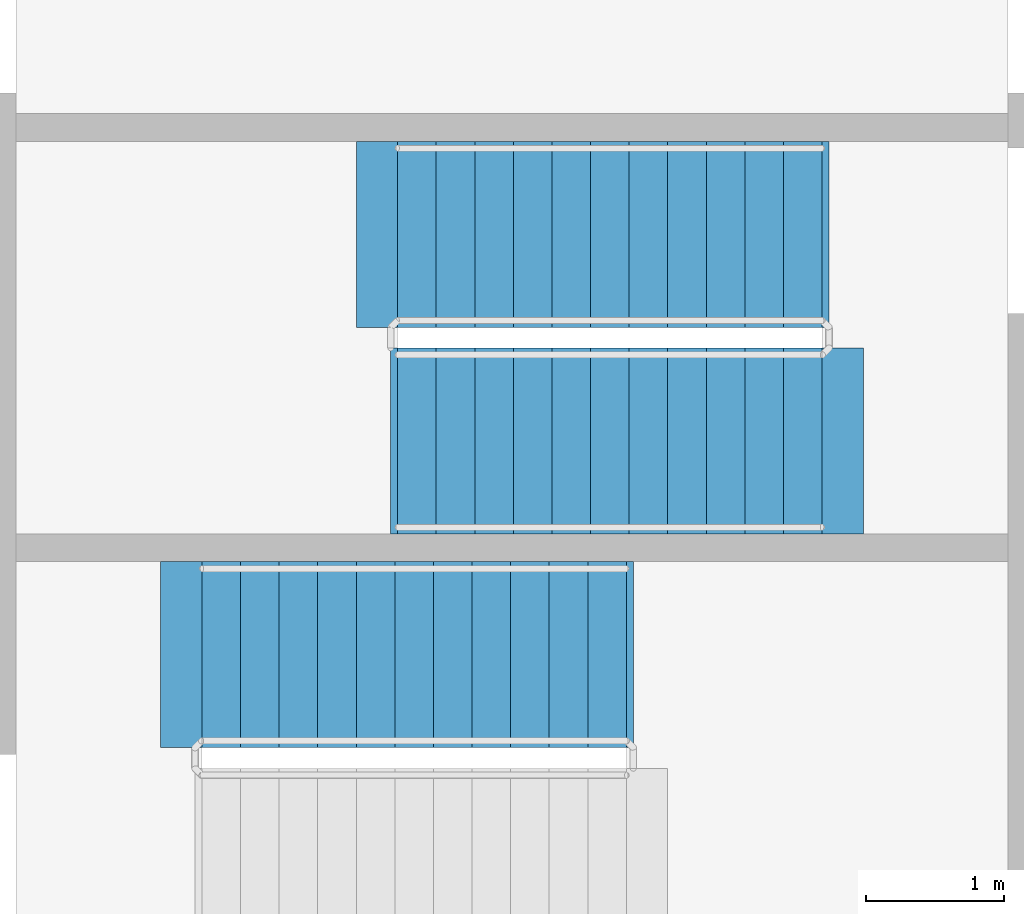
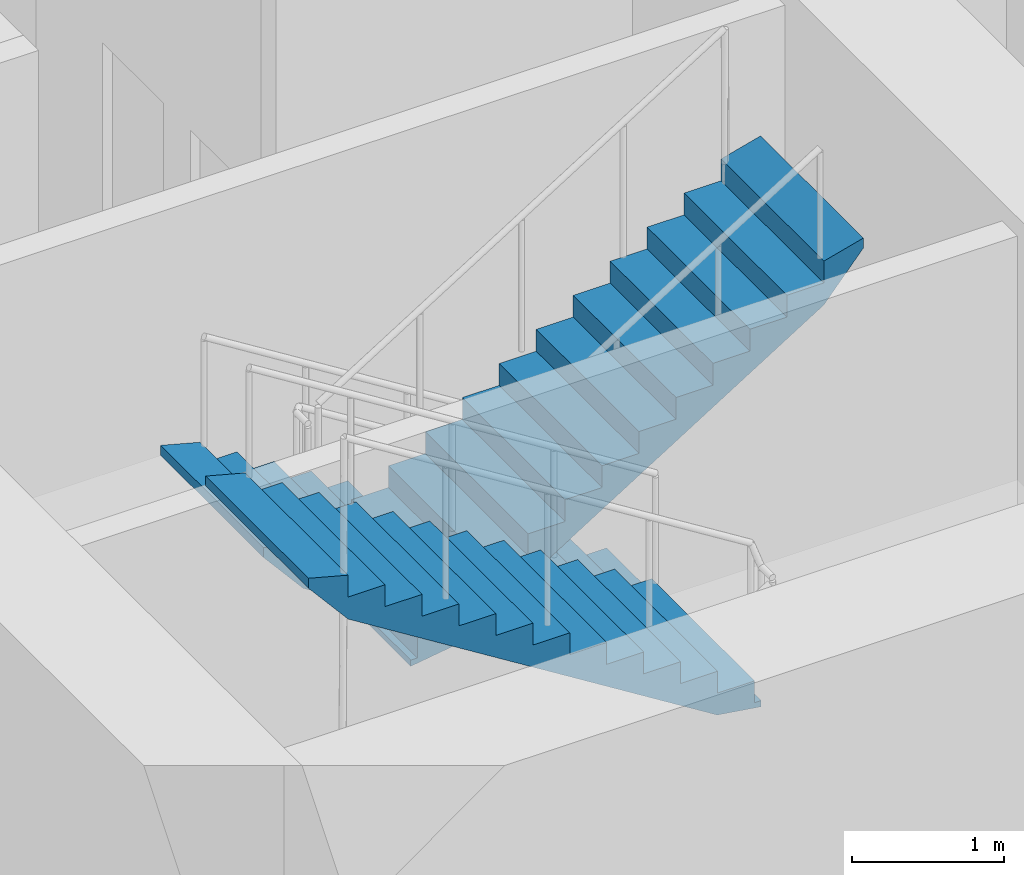
# One storey, part 19 of 23: 3 stair flights, 2 elements without a shape of their own.
"""IFC4 building model written with IfcOpenShell, lengths in metres."""

from ifc_helpers import new_model, si_unit, direction, frame, origin, place, context, subcontext, project, spatial, polyline, outline, extrude, material, type_object, element, aggregate, save


model = new_model("IFC4")

# Units and contexts
model_context = context("Model", 3, precision=1e-05, world=origin(), true_north=direction((0.0, 1.0)))
body_context = subcontext(model_context, "Body", "Model", "MODEL_VIEW")
ifc_project = project(units=[si_unit("LENGTHUNIT", "METRE"), si_unit("AREAUNIT", "SQUARE_METRE"), si_unit("VOLUMEUNIT", "CUBIC_METRE"), si_unit("PLANEANGLEUNIT", "RADIAN"), si_unit("MASSUNIT", "GRAM", prefix="KILO")], contexts=[model_context])

# Site, building, storey
site_placement = place(None, origin())
site = spatial("IfcSite", under=ifc_project, at=site_placement, CompositionType="ELEMENT")
building_placement = place(site_placement, origin())
building = spatial("IfcBuilding", under=site, at=building_placement, Name="Zarbagh Exchange Tower", CompositionType="ELEMENT")
storey_placement = place(building_placement, frame((0.0, 0.0, 69.0)))
storey = spatial("IfcBuildingStorey", under=building, at=storey_placement, Name="L15", CompositionType="ELEMENT", Elevation=69.0)

# Stair, stair flights
ifc_material = material(Name="Concrete C40/50", Category="concrete")
stair_type = type_object("IfcStairType", Name="Exit stair two-flight half-turn", PredefinedType="HALF_TURN_STAIR", material=ifc_material)
stair_1_placement = place(storey_placement, origin())
stair_1 = element("IfcStair", 1, at=stair_1_placement, inside=storey, type_object=stair_type, Name="exit stair ST1", PredefinedType="HALF_TURN_STAIR")
stair_flight_type = type_object("IfcStairFlightType", Name="Stair flight 1350 mm", PredefinedType="STRAIGHT", material=ifc_material)
stair_flight_1_placement = place(storey_placement, frame((2.25, 17.375, 0.0), z_axis=(0.0, 0.0, 1.0), x_axis=(-1.0, 0.0, 0.0)))
stair_flight_1 = element("IfcStairFlight", 2, at=stair_flight_1_placement, type_object=stair_flight_type, Name="ST1 flight 1", NumberOfRisers=12, NumberOfTreads=11, PredefinedType="STRAIGHT", RiserHeight=0.175, TreadLength=0.28, context=body_context, shape_type="SweptSolid", body=[
    extrude(outline(polyline([(-0.050048828125, -0.050048828125), (-0.050048828125, 0.0), (0.0, 0.0), (0.0, 0.175048828125), (0.280029296875, 0.175048828125), (0.280029296875, 0.35009765625), (0.56005859375, 0.35009765625), (0.56005859375, 0.52490234375), (0.840087890625, 0.52490234375), (0.840087890625, 0.699951171875), (1.1201171875, 0.699951171875), (1.1201171875, 0.875), (1.39990234375, 0.875), (1.39990234375, 1.050048828125), (1.679931640625, 1.050048828125), (1.679931640625, 1.22509765625), (1.9599609375, 1.22509765625), (1.9599609375, 1.39990234375), (2.239990234375, 1.39990234375), (2.239990234375, 1.574951171875), (2.52001953125, 1.574951171875), (2.52001953125, 1.75), (2.800048828125, 1.75), (2.800048828125, 1.925048828125), (3.080078125, 1.925048828125), (3.080078125, 2.10009765625), (3.3798828125, 2.179931640625), (3.3798828125, 2.10009765625), (3.080078125, 1.748291015625), (0.28271484375, 0.0), (-0.050048828125, -0.050048828125)])), frame((0.0, 0.675048828125, 0.0), z_axis=(0.0, -1.0, 0.0), x_axis=(1.0, 0.0, 0.0)), (0.0, 0.0, 1.0), 1.35009765625),
])
stair_flight_2_placement = place(storey_placement, frame((-0.830078125, 15.875, 2.10009765625), z_axis=(0.0, 0.0, 1.0), x_axis=(1.0, 0.0, 0.0)))
stair_flight_2 = element("IfcStairFlight", 3, at=stair_flight_2_placement, type_object=stair_flight_type, Name="ST1 flight 2", NumberOfRisers=12, NumberOfTreads=11, PredefinedType="STRAIGHT", RiserHeight=0.175, TreadLength=0.28, context=body_context, shape_type="SweptSolid", body=[
    extrude(outline(polyline([(-0.050048828125, -0.050048828125), (-0.050048828125, 0.0), (0.0, 0.0), (0.0, 0.175048828125), (0.280029296875, 0.175048828125), (0.280029296875, 0.35009765625), (0.56005859375, 0.35009765625), (0.56005859375, 0.52490234375), (0.840087890625, 0.52490234375), (0.840087890625, 0.699951171875), (1.1201171875, 0.699951171875), (1.1201171875, 0.875), (1.39990234375, 0.875), (1.39990234375, 1.050048828125), (1.679931640625, 1.050048828125), (1.679931640625, 1.22509765625), (1.9599609375, 1.22509765625), (1.9599609375, 1.39990234375), (2.239990234375, 1.39990234375), (2.239990234375, 1.574951171875), (2.52001953125, 1.574951171875), (2.52001953125, 1.75), (2.800048828125, 1.75), (2.800048828125, 1.925048828125), (3.080078125, 1.925048828125), (3.080078125, 2.10009765625), (3.3798828125, 2.179931640625), (3.3798828125, 2.10009765625), (3.080078125, 1.748291015625), (0.28271484375, 0.0), (-0.050048828125, -0.050048828125)])), frame((0.0, 0.675048828125, 0.0), z_axis=(0.0, -1.0, 0.0), x_axis=(1.0, 0.0, 0.0)), (0.0, 0.0, 1.0), 1.35009765625),
])
aggregate(stair_1, [stair_flight_1, stair_flight_2])

# Stair, stair flight
stair_2_placement = place(storey_placement, origin())
stair_2 = element("IfcStair", 4, at=stair_2_placement, inside=storey, type_object=stair_type, Name="exit stair ST2", PredefinedType="HALF_TURN_STAIR")
stair_flight_3_placement = place(storey_placement, frame((0.830078125, 14.324951171875, 2.10009765625), z_axis=(0.0, 0.0, 1.0), x_axis=(-1.0, 0.0, 0.0)))
stair_flight_3 = element("IfcStairFlight", 5, at=stair_flight_3_placement, type_object=stair_flight_type, Name="ST2 flight 2", NumberOfRisers=12, NumberOfTreads=11, PredefinedType="STRAIGHT", RiserHeight=0.175, TreadLength=0.28, context=body_context, shape_type="SweptSolid", body=[
    extrude(outline(polyline([(-0.050048828125, -0.050048828125), (-0.050048828125, 0.0), (0.0, 0.0), (0.0, 0.175048828125), (0.280029296875, 0.175048828125), (0.280029296875, 0.35009765625), (0.56005859375, 0.35009765625), (0.56005859375, 0.52490234375), (0.840087890625, 0.52490234375), (0.840087890625, 0.699951171875), (1.1201171875, 0.699951171875), (1.1201171875, 0.875), (1.39990234375, 0.875), (1.39990234375, 1.050048828125), (1.679931640625, 1.050048828125), (1.679931640625, 1.22509765625), (1.9599609375, 1.22509765625), (1.9599609375, 1.39990234375), (2.239990234375, 1.39990234375), (2.239990234375, 1.574951171875), (2.52001953125, 1.574951171875), (2.52001953125, 1.75), (2.800048828125, 1.75), (2.800048828125, 1.925048828125), (3.080078125, 1.925048828125), (3.080078125, 2.10009765625), (3.3798828125, 2.179931640625), (3.3798828125, 2.10009765625), (3.080078125, 1.748291015625), (0.28271484375, 0.0), (-0.050048828125, -0.050048828125)])), frame((0.0, 0.675048828125, 0.0), z_axis=(0.0, -1.0, 0.0), x_axis=(1.0, 0.0, 0.0)), (0.0, 0.0, 1.0), 1.35009765625),
])
aggregate(stair_2, [stair_flight_3])

save(model, "model.ifc")
